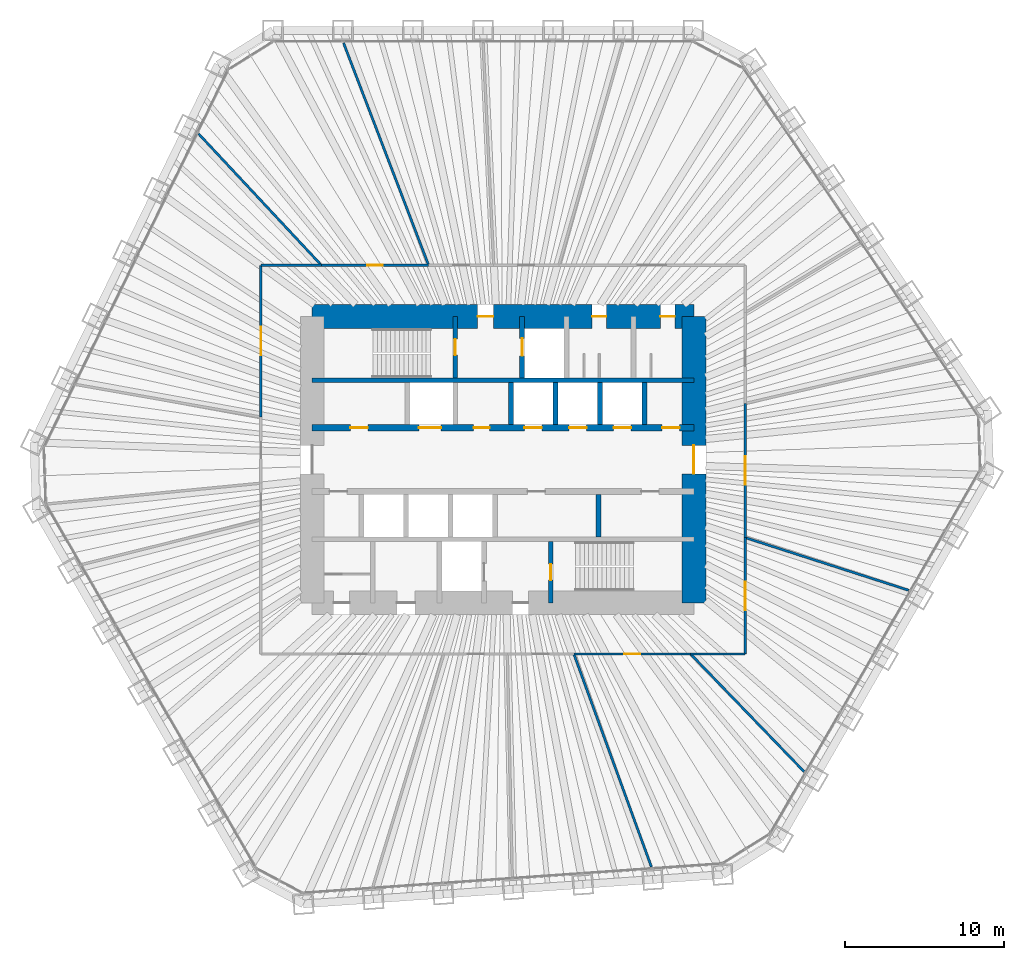
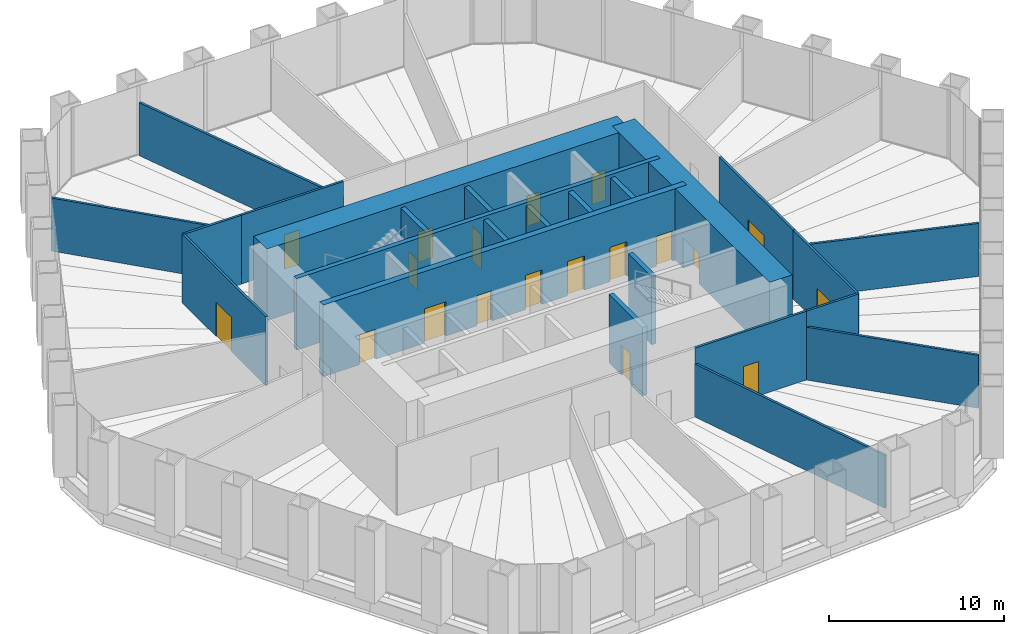
# One storey, part 11 of 13: 24 walls, 19 doors, 19 openings.
"""IFC4 building model written with IfcOpenShell, lengths in metres."""

import ifcopenshell
import ifcopenshell.guid

model = None  # the IFC model being written
_history = None  # IfcOwnerHistory: only IFC2X3 demands one
_inside = {}  # id of a spatial element -> (the spatial element, [elements in it])
_under = {}  # id of a project, library or spatial element -> (it, [spatial elements below it])
_declared = {}  # id of a project -> (the project, [libraries it declares])
_typed = {}  # id of a type object -> (the type object, [elements of that type])
_made_of = {}  # id of a material, layer set ... -> (it, [elements and type objects made of it])


def new_model(schema):
    """Start an empty IFC model of exactly this schema.

    Asked for "IFC4X3", IfcOpenShell would pick the latest addendum, in which some entities
    have other attributes; the version numbers below select the first issue.
    IFC2X3 requires an IfcOwnerHistory on every rooted entity: one is made here for all.
    """
    global model, _history
    if schema == "IFC4X3":
        model = ifcopenshell.file(schema_version=(4, 3, 0, 0))
    else:
        model = ifcopenshell.file(schema=schema)
    _inside.clear()
    _under.clear()
    _declared.clear()
    _typed.clear()
    _made_of.clear()
    _history = None
    if model.schema == "IFC2X3":
        org = make("IfcOrganization", Name="unknown")
        user = make(
            "IfcPersonAndOrganization",
            ThePerson=make("IfcPerson", FamilyName="unknown"),
            TheOrganization=org,
        )
        app = make(
            "IfcApplication",
            ApplicationDeveloper=org,
            Version="unknown",
            ApplicationFullName="unknown",
            ApplicationIdentifier="unknown",
        )
        _history = make(
            "IfcOwnerHistory",
            OwningUser=user,
            OwningApplication=app,
            ChangeAction="ADDED",
            CreationDate=0,
        )
    return model


def make(cls, **values):
    """One entity of the class cls with the attributes given. An attribute that is None is left unset."""
    return model.create_entity(
        cls, **{name: value for name, value in values.items() if value is not None}
    )


def rooted(cls, **values):
    """An entity with a GlobalId (a new one), such as an element, a storey or a relation."""
    return make(cls, GlobalId=ifcopenshell.guid.new(), OwnerHistory=_history, **values)


def si_unit(unit_type, name, prefix=None):
    """IfcSIUnit, for example si_unit("LENGTHUNIT", "METRE", prefix="MILLI")."""
    return make("IfcSIUnit", UnitType=unit_type, Prefix=prefix, Name=name)


def assignment(units):
    """IfcUnitAssignment: the units of a project."""
    return None if units is None else make("IfcUnitAssignment", Units=units)


def point(xyz):
    """IfcCartesianPoint."""
    return None if xyz is None else make("IfcCartesianPoint", Coordinates=xyz)


def direction(xyz):
    """IfcDirection."""
    return None if xyz is None else make("IfcDirection", DirectionRatios=xyz)


def frame(location, z_axis=None, x_axis=None):
    """IfcAxis2Placement3D, a coordinate frame: its origin and axes. An axis left out is left unset."""
    return make(
        "IfcAxis2Placement3D",
        Location=point(location),
        Axis=direction(z_axis),
        RefDirection=direction(x_axis),
    )


def frame_2d(location, x_axis=None):
    """IfcAxis2Placement2D, a coordinate frame in the plane: its origin and x axis."""
    return make(
        "IfcAxis2Placement2D", Location=point(location), RefDirection=direction(x_axis)
    )


def origin():
    """The frame at (0, 0, 0) with its axes left unset."""
    return frame((0.0, 0.0, 0.0))


def place(relative_to, where):
    """IfcLocalPlacement: puts the frame where relative to a parent placement (None: the world)."""
    return make(
        "IfcLocalPlacement", PlacementRelTo=relative_to, RelativePlacement=where
    )


def context(
    kind, dimensions, precision=None, world=None, true_north=None, identifier=None
):
    """IfcGeometricRepresentationContext, for example the 3D "Model" context."""
    return make(
        "IfcGeometricRepresentationContext",
        ContextIdentifier=identifier,
        ContextType=kind,
        CoordinateSpaceDimension=dimensions,
        Precision=precision,
        WorldCoordinateSystem=world,
        TrueNorth=true_north,
    )


def subcontext(parent, identifier, kind, view, scale=None):
    """IfcGeometricRepresentationSubContext, for example "Body" below "Model"."""
    return make(
        "IfcGeometricRepresentationSubContext",
        ContextIdentifier=identifier,
        ContextType=kind,
        ParentContext=parent,
        TargetScale=scale,
        TargetView=view,
    )


def project(units=None, contexts=None):
    """IfcProject with its units and contexts."""
    return rooted(
        "IfcProject",
        Name="project",
        RepresentationContexts=contexts,
        UnitsInContext=assignment(units),
    )


def spatial(cls, under=None, at=None, **own):
    """A site, building, storey or space (cls), placed at a placement, below another one or the project."""
    s = rooted(cls, ObjectPlacement=at, **own)
    if under is not None:
        _under.setdefault(under.id(), (under, []))[1].append(s)
    return s


def profile(cls, at=None, kind="AREA", **sizes):
    """A parametric profile (cls). Its sizes go by their IFC names, for example OverallWidth=200.0."""
    return make(cls, ProfileType=kind, Position=at, **sizes)


def rectangle(**sizes):
    """IfcRectangleProfileDef."""
    return profile("IfcRectangleProfileDef", **sizes)


def extrude(swept, where, along, depth):
    """IfcExtrudedAreaSolid: the profile swept, set in the frame where, extruded along a direction by depth."""
    return make(
        "IfcExtrudedAreaSolid",
        SweptArea=swept,
        Position=where,
        ExtrudedDirection=direction(along),
        Depth=depth,
    )


def shape(context_of_items, identifier, shape_type, items):
    """IfcShapeRepresentation: the items that make up one representation, for example the "Body"."""
    return make(
        "IfcShapeRepresentation",
        ContextOfItems=context_of_items,
        RepresentationIdentifier=identifier,
        RepresentationType=shape_type,
        Items=items,
    )


def material(Name=None, Category=None):
    """IfcMaterial."""
    return make("IfcMaterial", Name=Name, Category=Category)


def layer(
    of_material, thickness, ventilated=None, Name=None, Category=None, Priority=None
):
    """IfcMaterialLayer: one layer of a wall or slab, of a material (None: an air gap)."""
    return make(
        "IfcMaterialLayer",
        Material=of_material,
        LayerThickness=thickness,
        IsVentilated=ventilated,
        Name=Name,
        Category=Category,
        Priority=Priority,
    )


def layer_set(layers, Name=None):
    """IfcMaterialLayerSet."""
    return make("IfcMaterialLayerSet", MaterialLayers=layers, LayerSetName=Name)


def made_of(thing, what):
    """Note that an element or type object is made of a material, layer set ...; save() writes the relation."""
    if what is not None:
        _made_of.setdefault(what.id(), (what, []))[1].append(thing)
    return thing


def type_object(cls, material=None, **own):
    """A type object (cls), such as IfcWallType, which elements share."""
    return made_of(rooted(cls, **own), material)


def element(
    cls,
    number,
    at=None,
    inside=None,
    cuts=None,
    type_object=None,
    material=None,
    context=None,
    identifier="Body",
    shape_type=None,
    held_by="IfcProductDefinitionShape",
    body=None,
    shapes=None,
    **own,
):
    """One element of the class cls, such as IfcWall. Its Tag is "e" and its number.

    at: its placement. inside: the storey or other place that contains it. cuts: it is an
    opening in that element (IfcRelVoidsElement). A single representation is given by context,
    identifier, shape_type and body (its items); several are given by shapes. held_by: the class
    of the entity that holds the representations. save() writes the other relations.
    """
    e = rooted(cls, Tag="e%d" % number, ObjectPlacement=at, **own)
    if body is not None:
        shapes = [shape(context, identifier, shape_type, body)]
    if shapes is not None:
        e.Representation = make(held_by, Representations=shapes)
    if inside is not None:
        _inside.setdefault(inside.id(), (inside, []))[1].append(e)
    if cuts is not None:
        rooted(
            "IfcRelVoidsElement", RelatingBuildingElement=cuts, RelatedOpeningElement=e
        )
    if type_object is not None:
        _typed.setdefault(type_object.id(), (type_object, []))[1].append(e)
    return made_of(e, material)


def fill(opening, filler):
    """IfcRelFillsElement: the door or window that sits in an opening."""
    return rooted(
        "IfcRelFillsElement",
        RelatingOpeningElement=opening,
        RelatedBuildingElement=filler,
    )


def aggregate(whole, parts):
    """IfcRelAggregates: a whole, such as a stair, and the parts it consists of."""
    return rooted("IfcRelAggregates", RelatingObject=whole, RelatedObjects=parts)


def save(model, path):
    """Write the relations noted so far, then the file.

    IfcRelAggregates (storeys below a building ...), IfcRelContainedInSpatialStructure (elements
    in a storey), IfcRelDefinesByType, IfcRelAssociatesMaterial and IfcRelDeclares: one each for
    every whole, place, type object, material and project.
    """
    for whole, parts in _under.values():
        aggregate(whole, parts)
    for where, things in _inside.values():
        rooted(
            "IfcRelContainedInSpatialStructure",
            RelatedElements=things,
            RelatingStructure=where,
        )
    for kind, things in _typed.values():
        rooted("IfcRelDefinesByType", RelatedObjects=things, RelatingType=kind)
    for what, things in _made_of.values():
        rooted("IfcRelAssociatesMaterial", RelatedObjects=things, RelatingMaterial=what)
    for by, libraries in _declared.values():
        rooted("IfcRelDeclares", RelatingContext=by, RelatedDefinitions=libraries)
    model.write(path)


model = new_model("IFC4")

# Units and contexts
model_context = context("Model", 3, precision=1e-05, world=origin(), true_north=direction((0.0, 1.0)))
body_context = subcontext(model_context, "Body", "Model", "MODEL_VIEW")
ifc_project = project(units=[si_unit("LENGTHUNIT", "METRE"), si_unit("AREAUNIT", "SQUARE_METRE"), si_unit("VOLUMEUNIT", "CUBIC_METRE"), si_unit("PLANEANGLEUNIT", "RADIAN"), si_unit("MASSUNIT", "GRAM", prefix="KILO")], contexts=[model_context])

# Site, building, storey
site_placement = place(None, origin())
site = spatial("IfcSite", under=ifc_project, at=site_placement, CompositionType="ELEMENT")
building_placement = place(site_placement, origin())
building = spatial("IfcBuilding", under=site, at=building_placement, Name="Qingtian Harvest Tower", CompositionType="ELEMENT")
storey_placement = place(building_placement, frame((0.0, 0.0, 32.0)))
storey = spatial("IfcBuildingStorey", under=building, at=storey_placement, Name="L06", CompositionType="ELEMENT", Elevation=32.0)

# Wall
ifc_material_1 = material(Name="Concrete fc' 70 MPa", Category="concrete")
ifc_layer_1 = layer(ifc_material_1, 0.300048828125)
ifc_layer_set_1 = layer_set([ifc_layer_1], Name="Core inner wall RC5 300")
wall_type_1 = type_object("IfcWallType", Name="Core inner wall RC5 300", PredefinedType="SHEAR", material=ifc_layer_set_1)
wall_1_placement = place(storey_placement, frame((-12.0, 5.0, 0.0), z_axis=(0.0, 0.0, 1.0), x_axis=(1.0, 0.0, 0.0)))
element("IfcWall", 1, at=wall_1_placement, inside=storey, type_object=wall_type_1, Name="Core wall IN5 L06", PredefinedType="SHEAR", context=body_context, shape_type="SweptSolid", body=[
    extrude(rectangle(XDim=24.0, YDim=0.300048828125, at=frame_2d((12.0, 0.0))), origin(), (0.0, 0.0, 1.0), 5.0),
])

# Wall, openings, doors
ifc_material_2 = material(Name="Concrete fc' 70 MPa", Category="concrete")
ifc_layer_2 = layer(ifc_material_2, 0.39990234375)
ifc_layer_set_2 = layer_set([ifc_layer_2], Name="Core inner web RC6 400")
wall_type_2 = type_object("IfcWallType", Name="Core inner web RC6 400", PredefinedType="SHEAR", material=ifc_layer_set_2)
wall_2_placement = place(storey_placement, frame((-12.0, 2.0, 0.0), z_axis=(0.0, 0.0, 1.0), x_axis=(1.0, 0.0, 0.0)))
wall_2 = element("IfcWall", 2, at=wall_2_placement, inside=storey, type_object=wall_type_2, Name="Core wall IN2 L06", PredefinedType="SHEAR", context=body_context, shape_type="SweptSolid", body=[
    extrude(rectangle(XDim=24.0, YDim=0.39990234375, at=frame_2d((12.0, 0.0))), origin(), (0.0, 0.0, 1.0), 5.0),
])
opening_1_placement = place(wall_2_placement, frame((2.39990234375, 0.0, 0.0)))
opening_1 = element("IfcOpeningElement", 3, at=opening_1_placement, cuts=wall_2, Name="Opening FD4", PredefinedType="OPENING", context=body_context, shape_type="SweptSolid", body=[
    extrude(rectangle(XDim=1.10009765625, YDim=2.10009765625, at=frame_2d((0.550048828125, 1.050048828125))), frame((0.0, 0.2099609375, 0.0), z_axis=(0.0, -1.0, 0.0), x_axis=(1.0, 0.0, 0.0)), (0.0, 0.0, 1.0), 0.419921875),
])
opening_2_placement = place(wall_2_placement, frame((22.0, 0.0, 0.0)))
opening_2 = element("IfcOpeningElement", 4, at=opening_2_placement, cuts=wall_2, Name="Opening FD4", PredefinedType="OPENING", context=body_context, shape_type="SweptSolid", body=[
    extrude(rectangle(XDim=1.10009765625, YDim=2.10009765625, at=frame_2d((0.550048828125, 1.050048828125))), frame((0.0, 0.2099609375, 0.0), z_axis=(0.0, -1.0, 0.0), x_axis=(1.0, 0.0, 0.0)), (0.0, 0.0, 1.0), 0.419921875),
])
opening_3_placement = place(wall_2_placement, frame((10.14990234375, 0.0, 0.0)))
opening_3 = element("IfcOpeningElement", 5, at=opening_3_placement, cuts=wall_2, Name="Opening FD1", PredefinedType="OPENING", context=body_context, shape_type="SweptSolid", body=[
    extrude(rectangle(XDim=1.0, YDim=2.10009765625, at=frame_2d((0.5, 1.050048828125))), frame((0.0, 0.2099609375, 0.0), z_axis=(0.0, -1.0, 0.0), x_axis=(1.0, 0.0, 0.0)), (0.0, 0.0, 1.0), 0.419921875),
])
opening_4_placement = place(wall_2_placement, frame((6.699951171875, 0.0, 0.0)))
opening_4 = element("IfcOpeningElement", 6, at=opening_4_placement, cuts=wall_2, Name="Opening LD2", PredefinedType="OPENING", context=body_context, shape_type="SweptSolid", body=[
    extrude(rectangle(XDim=1.39990234375, YDim=2.39990234375, at=frame_2d((0.699951171875, 1.199951171875))), frame((0.0, 0.2099609375, 0.0), z_axis=(0.0, -1.0, 0.0), x_axis=(1.0, 0.0, 0.0)), (0.0, 0.0, 1.0), 0.419921875),
])
opening_5_placement = place(wall_2_placement, frame((13.35009765625, 0.0, 0.0)))
opening_5 = element("IfcOpeningElement", 7, at=opening_5_placement, cuts=wall_2, Name="Opening LD1", PredefinedType="OPENING", context=body_context, shape_type="SweptSolid", body=[
    extrude(rectangle(XDim=1.10009765625, YDim=2.39990234375, at=frame_2d((0.550048828125, 1.199951171875))), frame((0.0, 0.2099609375, 0.0), z_axis=(0.0, -1.0, 0.0), x_axis=(1.0, 0.0, 0.0)), (0.0, 0.0, 1.0), 0.419921875),
])
opening_6_placement = place(wall_2_placement, frame((16.14990234375, 0.0, 0.0)))
opening_6 = element("IfcOpeningElement", 8, at=opening_6_placement, cuts=wall_2, Name="Opening LD1", PredefinedType="OPENING", context=body_context, shape_type="SweptSolid", body=[
    extrude(rectangle(XDim=1.10009765625, YDim=2.39990234375, at=frame_2d((0.550048828125, 1.199951171875))), frame((0.0, 0.2099609375, 0.0), z_axis=(0.0, -1.0, 0.0), x_axis=(1.0, 0.0, 0.0)), (0.0, 0.0, 1.0), 0.419921875),
])
opening_7_placement = place(wall_2_placement, frame((18.949951171875, 0.0, 0.0)))
opening_7 = element("IfcOpeningElement", 9, at=opening_7_placement, cuts=wall_2, Name="Opening LD1", PredefinedType="OPENING", context=body_context, shape_type="SweptSolid", body=[
    extrude(rectangle(XDim=1.10009765625, YDim=2.39990234375, at=frame_2d((0.550048828125, 1.199951171875))), frame((0.0, 0.2099609375, 0.0), z_axis=(0.0, -1.0, 0.0), x_axis=(1.0, 0.0, 0.0)), (0.0, 0.0, 1.0), 0.419921875),
])
ifc_material_3 = material(Name="Steel-faced door leaf", Category="steel")
door_type_1 = type_object("IfcDoorType", Name="Fire door FD1 single 1 HR", OperationType="SINGLE_SWING_LEFT", PredefinedType="DOOR", material=ifc_material_3)
door_1_placement = place(opening_3_placement, origin())
door_1 = element("IfcDoor", 10, at=door_1_placement, inside=storey, type_object=door_type_1, Name="STA door L06", OperationType="SINGLE_SWING_LEFT", OverallHeight=2.10009765625, OverallWidth=1.0, PredefinedType="DOOR", context=body_context, shape_type="SweptSolid", body=[
    extrude(rectangle(XDim=1.0, YDim=2.10009765625, at=frame_2d((0.5, 1.050048828125))), frame((0.0, 0.02490234375, 0.0), z_axis=(0.0, -1.0, 0.0), x_axis=(1.0, 0.0, 0.0)), (0.0, 0.0, 1.0), 0.050048828125),
])
fill(opening_3, door_1)
ifc_material_4 = material(Name="Steel-faced door leaf", Category="steel")
door_type_2 = type_object("IfcDoorType", Name="Fire door FD4 single 2 HR", OperationType="SINGLE_SWING_LEFT", PredefinedType="DOOR", material=ifc_material_4)
door_2_placement = place(opening_1_placement, origin())
door_2 = element("IfcDoor", 11, at=door_2_placement, inside=storey, type_object=door_type_2, Name="RA door L06", OperationType="SINGLE_SWING_RIGHT", OverallHeight=2.10009765625, OverallWidth=1.10009765625, PredefinedType="DOOR", context=body_context, shape_type="SweptSolid", body=[
    extrude(rectangle(XDim=1.10009765625, YDim=2.10009765625, at=frame_2d((0.550048828125, 1.050048828125))), frame((0.0, 0.02490234375, 0.0), z_axis=(0.0, -1.0, 0.0), x_axis=(1.0, 0.0, 0.0)), (0.0, 0.0, 1.0), 0.050048828125),
])
fill(opening_1, door_2)
door_3_placement = place(opening_2_placement, origin())
door_3 = element("IfcDoor", 12, at=door_3_placement, inside=storey, type_object=door_type_2, Name="AHU door L06", OperationType="SINGLE_SWING_RIGHT", OverallHeight=2.10009765625, OverallWidth=1.10009765625, PredefinedType="DOOR", context=body_context, shape_type="SweptSolid", body=[
    extrude(rectangle(XDim=1.10009765625, YDim=2.10009765625, at=frame_2d((0.550048828125, 1.050048828125))), frame((0.0, 0.02490234375, 0.0), z_axis=(0.0, -1.0, 0.0), x_axis=(1.0, 0.0, 0.0)), (0.0, 0.0, 1.0), 0.050048828125),
])
fill(opening_2, door_3)
ifc_material_5 = material(Name="Stainless steel lift landing door", Category="steel")
door_type_3 = type_object("IfcDoorType", Name="Goods lift landing door LD2 1 HR", OperationType="DOUBLE_DOOR_SLIDING", PredefinedType="DOOR", material=ifc_material_5)
door_4_placement = place(opening_4_placement, origin())
door_4 = element("IfcDoor", 13, at=door_4_placement, inside=storey, type_object=door_type_3, Name="GL1 landing door L06", OperationType="DOUBLE_DOOR_SLIDING", OverallHeight=2.39990234375, OverallWidth=1.39990234375, PredefinedType="DOOR", context=body_context, shape_type="SweptSolid", body=[
    extrude(rectangle(XDim=1.39990234375, YDim=2.39990234375, at=frame_2d((0.699951171875, 1.199951171875))), frame((0.0, 0.02490234375, 0.0), z_axis=(0.0, -1.0, 0.0), x_axis=(1.0, 0.0, 0.0)), (0.0, 0.0, 1.0), 0.050048828125),
])
fill(opening_4, door_4)
ifc_material_6 = material(Name="Stainless steel lift landing door", Category="steel")
door_type_4 = type_object("IfcDoorType", Name="Lift landing door LD1 1 HR", OperationType="DOUBLE_DOOR_SLIDING", PredefinedType="DOOR", material=ifc_material_6)
door_5_placement = place(opening_5_placement, origin())
door_5 = element("IfcDoor", 14, at=door_5_placement, inside=storey, type_object=door_type_4, Name="PLA1 landing door L06", OperationType="DOUBLE_DOOR_SLIDING", OverallHeight=2.39990234375, OverallWidth=1.10009765625, PredefinedType="DOOR", context=body_context, shape_type="SweptSolid", body=[
    extrude(rectangle(XDim=1.10009765625, YDim=2.39990234375, at=frame_2d((0.550048828125, 1.199951171875))), frame((0.0, 0.02490234375, 0.0), z_axis=(0.0, -1.0, 0.0), x_axis=(1.0, 0.0, 0.0)), (0.0, 0.0, 1.0), 0.050048828125),
])
fill(opening_5, door_5)
door_6_placement = place(opening_6_placement, origin())
door_6 = element("IfcDoor", 15, at=door_6_placement, inside=storey, type_object=door_type_4, Name="PLA2 landing door L06", OperationType="DOUBLE_DOOR_SLIDING", OverallHeight=2.39990234375, OverallWidth=1.10009765625, PredefinedType="DOOR", context=body_context, shape_type="SweptSolid", body=[
    extrude(rectangle(XDim=1.10009765625, YDim=2.39990234375, at=frame_2d((0.550048828125, 1.199951171875))), frame((0.0, 0.02490234375, 0.0), z_axis=(0.0, -1.0, 0.0), x_axis=(1.0, 0.0, 0.0)), (0.0, 0.0, 1.0), 0.050048828125),
])
fill(opening_6, door_6)
door_7_placement = place(opening_7_placement, origin())
door_7 = element("IfcDoor", 16, at=door_7_placement, inside=storey, type_object=door_type_4, Name="PLA3 landing door L06", OperationType="DOUBLE_DOOR_SLIDING", OverallHeight=2.39990234375, OverallWidth=1.10009765625, PredefinedType="DOOR", context=body_context, shape_type="SweptSolid", body=[
    extrude(rectangle(XDim=1.10009765625, YDim=2.39990234375, at=frame_2d((0.550048828125, 1.199951171875))), frame((0.0, 0.02490234375, 0.0), z_axis=(0.0, -1.0, 0.0), x_axis=(1.0, 0.0, 0.0)), (0.0, 0.0, 1.0), 0.050048828125),
])
fill(opening_7, door_7)

# Wall, opening, door
ifc_material_7 = material(Name="Precast concrete shaft panel", Category="concrete")
ifc_layer_3 = layer(ifc_material_7, 0.300048828125)
ifc_layer_set_3 = layer_set([ifc_layer_3], Name="Core shaft partition SW1 300")
wall_type_3 = type_object("IfcWallType", Name="Core shaft partition SW1 300", PredefinedType="PARTITIONING", material=ifc_layer_set_3)
wall_3_placement = place(storey_placement, frame((-3.0, 5.14990234375, 0.0), z_axis=(0.0, 0.0, 1.0), x_axis=(0.0, 1.0, 0.0)))
wall_3 = element("IfcWall", 17, at=wall_3_placement, inside=storey, type_object=wall_type_3, Name="Core shaft partition XN1 L06", PredefinedType="PARTITIONING", context=body_context, shape_type="SweptSolid", body=[
    extrude(rectangle(XDim=3.85009765625, YDim=0.300048828125, at=frame_2d((1.925048828125, 0.0))), origin(), (0.0, 0.0, 1.0), 4.780029296875),
])
opening_8_placement = place(wall_3_placement, frame((1.425048828125, 0.0, 0.0)))
opening_8 = element("IfcOpeningElement", 18, at=opening_8_placement, cuts=wall_3, Name="Opening FD1", PredefinedType="OPENING", context=body_context, shape_type="SweptSolid", body=[
    extrude(rectangle(XDim=1.0, YDim=2.10009765625, at=frame_2d((0.5, 1.050048828125))), frame((0.0, 0.159912109375, 0.0), z_axis=(0.0, -1.0, 0.0), x_axis=(1.0, 0.0, 0.0)), (0.0, 0.0, 1.0), 0.320068359375),
])
door_8_placement = place(opening_8_placement, origin())
door_8 = element("IfcDoor", 19, at=door_8_placement, inside=storey, type_object=door_type_1, Name="S1 door L06", OperationType="SINGLE_SWING_RIGHT", OverallHeight=2.10009765625, OverallWidth=1.0, PredefinedType="DOOR", context=body_context, shape_type="SweptSolid", body=[
    extrude(rectangle(XDim=1.0, YDim=2.10009765625, at=frame_2d((0.5, 1.050048828125))), frame((0.0, 0.02490234375, 0.0), z_axis=(0.0, -1.0, 0.0), x_axis=(1.0, 0.0, 0.0)), (0.0, 0.0, 1.0), 0.050048828125),
])
fill(opening_8, door_8)

wall_4_placement = place(storey_placement, frame((1.199951171875, 5.14990234375, 0.0), z_axis=(0.0, 0.0, 1.0), x_axis=(0.0, 1.0, 0.0)))
wall_4 = element("IfcWall", 20, at=wall_4_placement, inside=storey, type_object=wall_type_3, Name="Core shaft partition XN2 L06", PredefinedType="PARTITIONING", context=body_context, shape_type="SweptSolid", body=[
    extrude(rectangle(XDim=3.85009765625, YDim=0.300048828125, at=frame_2d((1.925048828125, 0.0))), origin(), (0.0, 0.0, 1.0), 4.780029296875),
])
opening_9_placement = place(wall_4_placement, frame((1.375, 0.0, 0.0)))
opening_9 = element("IfcOpeningElement", 21, at=opening_9_placement, cuts=wall_4, Name="Opening LD1", PredefinedType="OPENING", context=body_context, shape_type="SweptSolid", body=[
    extrude(rectangle(XDim=1.10009765625, YDim=2.39990234375, at=frame_2d((0.550048828125, 1.199951171875))), frame((0.0, 0.159912109375, 0.0), z_axis=(0.0, -1.0, 0.0), x_axis=(1.0, 0.0, 0.0)), (0.0, 0.0, 1.0), 0.320068359375),
])
door_9_placement = place(opening_9_placement, origin())
door_9 = element("IfcDoor", 22, at=door_9_placement, inside=storey, type_object=door_type_4, Name="FL1 landing door L06", OperationType="DOUBLE_DOOR_SLIDING", OverallHeight=2.39990234375, OverallWidth=1.10009765625, PredefinedType="DOOR", context=body_context, shape_type="SweptSolid", body=[
    extrude(rectangle(XDim=1.10009765625, YDim=2.39990234375, at=frame_2d((0.550048828125, 1.199951171875))), frame((0.0, 0.02490234375, 0.0), z_axis=(0.0, -1.0, 0.0), x_axis=(1.0, 0.0, 0.0)), (0.0, 0.0, 1.0), 0.050048828125),
])
fill(opening_9, door_9)

# Walls
for number, where, z_axis, x_axis, name in (
    (23, (0.5, 2.199951171875, 0.0), (0.0, 0.0, 1.0), (0.0, 1.0, 0.0), "Core shaft partition XA3 L06"),
    (24, (3.300048828125, 2.199951171875, 0.0), (0.0, 0.0, 1.0), (0.0, 1.0, 0.0), "Core shaft partition XA4 L06"),
    (25, (6.10009765625, 2.199951171875, 0.0), (0.0, 0.0, 1.0), (0.0, 1.0, 0.0), "Core shaft partition XA5 L06"),
    (26, (8.89990234375, 2.199951171875, 0.0), (0.0, 0.0, 1.0), (0.0, 1.0, 0.0), "Core shaft partition XA6 L06"),
    (27, (6.0, -4.85009765625, 0.0), (0.0, 0.0, 1.0), (0.0, 1.0, 0.0), "Core shaft partition XB5 L06"),
):
    element("IfcWall", number, at=place(storey_placement, frame(where, z_axis=z_axis, x_axis=x_axis)), inside=storey, type_object=wall_type_3, Name=name, PredefinedType="PARTITIONING", context=body_context, shape_type="SweptSolid", body=[
        extrude(rectangle(XDim=2.650146484375, YDim=0.300048828125, at=frame_2d((1.3251953125, 0.0))), origin(), (0.0, 0.0, 1.0), 4.780029296875),
    ])

# Wall, opening, door
wall_5_placement = place(storey_placement, frame((3.0, -9.0, 0.0), z_axis=(0.0, 0.0, 1.0), x_axis=(0.0, 1.0, 0.0)))
wall_5 = element("IfcWall", 28, at=wall_5_placement, inside=storey, type_object=wall_type_3, Name="Core shaft partition XS4 L06", PredefinedType="PARTITIONING", context=body_context, shape_type="SweptSolid", body=[
    extrude(rectangle(XDim=3.85009765625, YDim=0.300048828125, at=frame_2d((1.925048828125, 0.0))), origin(), (0.0, 0.0, 1.0), 4.780029296875),
])
opening_10_placement = place(wall_5_placement, frame((1.425048828125, 0.0, 0.0)))
opening_10 = element("IfcOpeningElement", 29, at=opening_10_placement, cuts=wall_5, Name="Opening FD1", PredefinedType="OPENING", context=body_context, shape_type="SweptSolid", body=[
    extrude(rectangle(XDim=1.0, YDim=2.10009765625, at=frame_2d((0.5, 1.050048828125))), frame((0.0, 0.159912109375, 0.0), z_axis=(0.0, -1.0, 0.0), x_axis=(1.0, 0.0, 0.0)), (0.0, 0.0, 1.0), 0.320068359375),
])
door_10_placement = place(opening_10_placement, origin())
door_10 = element("IfcDoor", 30, at=door_10_placement, inside=storey, type_object=door_type_1, Name="S2 door L06", OperationType="SINGLE_SWING_LEFT", OverallHeight=2.10009765625, OverallWidth=1.0, PredefinedType="DOOR", context=body_context, shape_type="SweptSolid", body=[
    extrude(rectangle(XDim=1.0, YDim=2.10009765625, at=frame_2d((0.5, 1.050048828125))), frame((0.0, 0.02490234375, 0.0), z_axis=(0.0, -1.0, 0.0), x_axis=(1.0, 0.0, 0.0)), (0.0, 0.0, 1.0), 0.050048828125),
])
fill(opening_10, door_10)

# Wall, openings, doors
ifc_material_8 = material(Name="Concrete fc' 70 MPa", Category="concrete")
ifc_layer_4 = layer(ifc_material_8, 1.5)
ifc_layer_set_4 = layer_set([ifc_layer_4], Name="Core wall RC1 1500")
wall_type_4 = type_object("IfcWallType", Name="Core wall RC1 1500", PredefinedType="SHEAR", material=ifc_layer_set_4)
wall_6_placement = place(storey_placement, frame((-12.0, 9.0, 0.0), z_axis=(0.0, 0.0, 1.0), x_axis=(1.0, 0.0, 0.0)))
wall_6 = element("IfcWall", 31, at=wall_6_placement, inside=storey, type_object=wall_type_4, Name="Core wall CN L06", PredefinedType="SHEAR", context=body_context, shape_type="SweptSolid", body=[
    extrude(rectangle(XDim=24.0, YDim=1.5, at=frame_2d((12.0, 0.0))), origin(), (0.0, 0.0, 1.0), 5.0),
])
opening_11_placement = place(wall_6_placement, frame((10.39990234375, 0.0, 0.0)))
opening_11 = element("IfcOpeningElement", 32, at=opening_11_placement, cuts=wall_6, Name="Opening FD1", PredefinedType="OPENING", context=body_context, shape_type="SweptSolid", body=[
    extrude(rectangle(XDim=1.0, YDim=2.10009765625, at=frame_2d((0.5, 1.050048828125))), frame((0.0, 0.760009765625, 0.0), z_axis=(0.0, -1.0, 0.0), x_axis=(1.0, 0.0, 0.0)), (0.0, 0.0, 1.0), 1.52001953125),
])
opening_12_placement = place(wall_6_placement, frame((17.60009765625, 0.0, 0.0)))
opening_12 = element("IfcOpeningElement", 33, at=opening_12_placement, cuts=wall_6, Name="Opening D1", PredefinedType="OPENING", context=body_context, shape_type="SweptSolid", body=[
    extrude(rectangle(XDim=0.89990234375, YDim=2.10009765625, at=frame_2d((0.449951171875, 1.050048828125))), frame((0.0, 0.760009765625, 0.0), z_axis=(0.0, -1.0, 0.0), x_axis=(1.0, 0.0, 0.0)), (0.0, 0.0, 1.0), 1.52001953125),
])
opening_13_placement = place(wall_6_placement, frame((21.89990234375, 0.0, 0.0)))
opening_13 = element("IfcOpeningElement", 34, at=opening_13_placement, cuts=wall_6, Name="Opening D1", PredefinedType="OPENING", context=body_context, shape_type="SweptSolid", body=[
    extrude(rectangle(XDim=0.89990234375, YDim=2.10009765625, at=frame_2d((0.449951171875, 1.050048828125))), frame((0.0, 0.760009765625, 0.0), z_axis=(0.0, -1.0, 0.0), x_axis=(1.0, 0.0, 0.0)), (0.0, 0.0, 1.0), 1.52001953125),
])
door_11_placement = place(opening_11_placement, origin())
door_11 = element("IfcDoor", 35, at=door_11_placement, inside=storey, type_object=door_type_1, Name="V1 door L06", OperationType="SINGLE_SWING_RIGHT", OverallHeight=2.10009765625, OverallWidth=1.0, PredefinedType="DOOR", context=body_context, shape_type="SweptSolid", body=[
    extrude(rectangle(XDim=1.0, YDim=2.10009765625, at=frame_2d((0.5, 1.050048828125))), frame((0.0, 0.02490234375, 0.0), z_axis=(0.0, -1.0, 0.0), x_axis=(1.0, 0.0, 0.0)), (0.0, 0.0, 1.0), 0.050048828125),
])
fill(opening_11, door_11)
ifc_material_9 = material(Name="Laminated timber door leaf", Category="wood")
door_type_5 = type_object("IfcDoorType", Name="Toilet door D1 single", OperationType="SINGLE_SWING_LEFT", PredefinedType="DOOR", material=ifc_material_9)
door_12_placement = place(opening_12_placement, origin())
door_12 = element("IfcDoor", 36, at=door_12_placement, inside=storey, type_object=door_type_5, Name="WCM door L06", OperationType="SINGLE_SWING_LEFT", OverallHeight=2.10009765625, OverallWidth=0.89990234375, PredefinedType="DOOR", context=body_context, shape_type="SweptSolid", body=[
    extrude(rectangle(XDim=0.89990234375, YDim=2.10009765625, at=frame_2d((0.449951171875, 1.050048828125))), frame((0.0, 0.02490234375, 0.0), z_axis=(0.0, -1.0, 0.0), x_axis=(1.0, 0.0, 0.0)), (0.0, 0.0, 1.0), 0.050048828125),
])
fill(opening_12, door_12)
door_13_placement = place(opening_13_placement, origin())
door_13 = element("IfcDoor", 37, at=door_13_placement, inside=storey, type_object=door_type_5, Name="WCF door L06", OperationType="SINGLE_SWING_LEFT", OverallHeight=2.10009765625, OverallWidth=0.89990234375, PredefinedType="DOOR", context=body_context, shape_type="SweptSolid", body=[
    extrude(rectangle(XDim=0.89990234375, YDim=2.10009765625, at=frame_2d((0.449951171875, 1.050048828125))), frame((0.0, 0.02490234375, 0.0), z_axis=(0.0, -1.0, 0.0), x_axis=(1.0, 0.0, 0.0)), (0.0, 0.0, 1.0), 0.050048828125),
])
fill(opening_13, door_13)

# Wall, opening, door
wall_7_placement = place(storey_placement, frame((12.0, -9.0, 0.0), z_axis=(0.0, 0.0, 1.0), x_axis=(0.0, 1.0, 0.0)))
wall_7 = element("IfcWall", 38, at=wall_7_placement, inside=storey, type_object=wall_type_4, Name="Core wall CE L06", PredefinedType="SHEAR", context=body_context, shape_type="SweptSolid", body=[
    extrude(rectangle(XDim=18.0, YDim=1.5, at=frame_2d((9.0, 0.0))), origin(), (0.0, 0.0, 1.0), 5.0),
])
opening_14_placement = place(wall_7_placement, frame((8.10009765625, 0.0, 0.0)))
opening_14 = element("IfcOpeningElement", 39, at=opening_14_placement, cuts=wall_7, Name="Opening FD2", PredefinedType="OPENING", context=body_context, shape_type="SweptSolid", body=[
    extrude(rectangle(XDim=1.800048828125, YDim=2.10009765625, at=frame_2d((0.89990234375, 1.050048828125))), frame((0.0, 0.760009765625, 0.0), z_axis=(0.0, -1.0, 0.0), x_axis=(1.0, 0.0, 0.0)), (0.0, 0.0, 1.0), 1.52001953125),
])
ifc_material_10 = material(Name="Steel-faced door leaf", Category="steel")
door_type_6 = type_object("IfcDoorType", Name="Fire door FD2 double 1 HR", OperationType="DOUBLE_DOOR_DOUBLE_SWING", PredefinedType="DOOR", material=ifc_material_10)
door_14_placement = place(opening_14_placement, origin())
door_14 = element("IfcDoor", 40, at=door_14_placement, inside=storey, type_object=door_type_6, Name="LOBBY-E door L06", OperationType="DOUBLE_DOOR_DOUBLE_SWING", OverallHeight=2.10009765625, OverallWidth=1.800048828125, PredefinedType="DOOR", context=body_context, shape_type="SweptSolid", body=[
    extrude(rectangle(XDim=1.800048828125, YDim=2.10009765625, at=frame_2d((0.89990234375, 1.050048828125))), frame((0.0, 0.02490234375, 0.0), z_axis=(0.0, -1.0, 0.0), x_axis=(1.0, 0.0, 0.0)), (0.0, 0.0, 1.0), 0.050048828125),
])
fill(opening_14, door_14)

ifc_material_11 = material(Name="Gypsum board on steel studs", Category="steel")
ifc_layer_5 = layer(ifc_material_11, 0.14990234375)
ifc_layer_set_5 = layer_set([ifc_layer_5], Name="Partition PT1 150")
wall_type_5 = type_object("IfcWallType", Name="Partition PT1 150", PredefinedType="PARTITIONING", material=ifc_layer_set_5)
wall_8_placement = place(storey_placement, frame((15.22509765625, 3.5302734375, 0.0), z_axis=(0.0, 0.0, 1.0), x_axis=(0.0, -1.0, 0.0)))
wall_8 = element("IfcWall", 41, at=wall_8_placement, inside=storey, type_object=wall_type_5, Name="Germination room wall L06", PredefinedType="PARTITIONING", context=body_context, shape_type="SweptSolid", body=[
    extrude(rectangle(XDim=8.43310546875, YDim=0.14990234375, at=frame_2d((4.216552734375, 0.0))), origin(), (0.0, 0.0, 1.0), 4.800048828125),
])
opening_15_placement = place(wall_8_placement, frame((3.316650390625, 0.0, 0.0)))
opening_15 = element("IfcOpeningElement", 42, at=opening_15_placement, cuts=wall_8, Name="Opening D3", PredefinedType="OPENING", context=body_context, shape_type="SweptSolid", body=[
    extrude(rectangle(XDim=1.800048828125, YDim=2.39990234375, at=frame_2d((0.89990234375, 1.199951171875))), frame((0.0, 0.0849609375, 0.0), z_axis=(0.0, -1.0, 0.0), x_axis=(1.0, 0.0, 0.0)), (0.0, 0.0, 1.0), 0.169921875),
])
ifc_material_12 = material(Name="Laminated timber door leaf", Category="wood")
door_type_7 = type_object("IfcDoorType", Name="Room door D3 double", OperationType="DOUBLE_DOOR_DOUBLE_SWING", PredefinedType="DOOR", material=ifc_material_12)
door_15_placement = place(opening_15_placement, origin())
door_15 = element("IfcDoor", 43, at=door_15_placement, inside=storey, type_object=door_type_7, Name="Germination room door L06", OperationType="DOUBLE_DOOR_DOUBLE_SWING", OverallHeight=2.39990234375, OverallWidth=1.800048828125, PredefinedType="DOOR", context=body_context, shape_type="SweptSolid", body=[
    extrude(rectangle(XDim=1.800048828125, YDim=2.39990234375, at=frame_2d((0.89990234375, 1.199951171875))), frame((0.0, 0.02490234375, 0.0), z_axis=(0.0, -1.0, 0.0), x_axis=(1.0, 0.0, 0.0)), (0.0, 0.0, 1.0), 0.050048828125),
])
fill(opening_15, door_15)

# Wall
wall_9_placement = place(storey_placement, frame((25.512451171875, -8.215576171875, 0.0), z_axis=(0.0, 0.0, 1.0), x_axis=(-0.95186413264, 0.306520265225, 0.0)))
element("IfcWall", 44, at=wall_9_placement, inside=storey, type_object=wall_type_5, Name="Seedling nursery wall L06", PredefinedType="PARTITIONING", context=body_context, shape_type="SweptSolid", body=[
    extrude(rectangle(XDim=10.8076171875, YDim=0.14990234375, at=frame_2d((5.40380859375, 0.0))), origin(), (0.0, 0.0, 1.0), 3.699951171875),
])

# Wall, opening, door
wall_10_placement = place(storey_placement, frame((15.22509765625, -4.90283203125, 0.0), z_axis=(0.0, 0.0, 1.0), x_axis=(0.0, -1.0, 0.0)))
wall_10 = element("IfcWall", 45, at=wall_10_placement, inside=storey, type_object=wall_type_5, Name="Seedling nursery wall L06", PredefinedType="PARTITIONING", context=body_context, shape_type="SweptSolid", body=[
    extrude(rectangle(XDim=7.322265625, YDim=0.14990234375, at=frame_2d((3.6611328125, 0.0))), origin(), (0.0, 0.0, 1.0), 4.800048828125),
])
opening_16_placement = place(wall_10_placement, frame((2.760986328125, 0.0, 0.0)))
opening_16 = element("IfcOpeningElement", 46, at=opening_16_placement, cuts=wall_10, Name="Opening D3", PredefinedType="OPENING", context=body_context, shape_type="SweptSolid", body=[
    extrude(rectangle(XDim=1.800048828125, YDim=2.39990234375, at=frame_2d((0.89990234375, 1.199951171875))), frame((0.0, 0.0849609375, 0.0), z_axis=(0.0, -1.0, 0.0), x_axis=(1.0, 0.0, 0.0)), (0.0, 0.0, 1.0), 0.169921875),
])
door_16_placement = place(opening_16_placement, origin())
door_16 = element("IfcDoor", 47, at=door_16_placement, inside=storey, type_object=door_type_7, Name="Seedling nursery door L06", OperationType="DOUBLE_DOOR_DOUBLE_SWING", OverallHeight=2.39990234375, OverallWidth=1.800048828125, PredefinedType="DOOR", context=body_context, shape_type="SweptSolid", body=[
    extrude(rectangle(XDim=1.800048828125, YDim=2.39990234375, at=frame_2d((0.89990234375, 1.199951171875))), frame((0.0, 0.02490234375, 0.0), z_axis=(0.0, -1.0, 0.0), x_axis=(1.0, 0.0, 0.0)), (0.0, 0.0, 1.0), 0.050048828125),
])
fill(opening_16, door_16)

# Walls
wall_11_placement = place(storey_placement, frame((15.22509765625, -12.22509765625, 0.0), z_axis=(0.0, 0.0, 1.0), x_axis=(-1.0, 0.0, 0.0)))
element("IfcWall", 48, at=wall_11_placement, inside=storey, type_object=wall_type_5, Name="Seedling nursery wall L06", PredefinedType="PARTITIONING", context=body_context, shape_type="SweptSolid", body=[
    extrude(rectangle(XDim=3.427978515625, YDim=0.14990234375, at=frame_2d((1.7138671875, 0.0))), origin(), (0.0, 0.0, 1.0), 4.800048828125),
])
wall_12_placement = place(storey_placement, frame((18.93115234375, -19.617919921875, 0.0), z_axis=(0.0, 0.0, 1.0), x_axis=(-0.694399830455, 0.719589379761, 0.0)))
element("IfcWall", 49, at=wall_12_placement, inside=storey, type_object=wall_type_5, Name="Propagation room wall L06", PredefinedType="PARTITIONING", context=body_context, shape_type="SweptSolid", body=[
    extrude(rectangle(XDim=10.273681640625, YDim=0.14990234375, at=frame_2d((5.13671875, 0.0))), origin(), (0.0, 0.0, 1.0), 3.699951171875),
])

# Wall, opening, door
wall_13_placement = place(storey_placement, frame((11.797119140625, -12.22509765625, 0.0), z_axis=(0.0, 0.0, 1.0), x_axis=(-1.0, 0.0, 0.0)))
wall_13 = element("IfcWall", 50, at=wall_13_placement, inside=storey, type_object=wall_type_5, Name="Propagation room wall L06", PredefinedType="PARTITIONING", context=body_context, shape_type="SweptSolid", body=[
    extrude(rectangle(XDim=7.342529296875, YDim=0.14990234375, at=frame_2d((3.67138671875, 0.0))), origin(), (0.0, 0.0, 1.0), 4.800048828125),
])
opening_17_placement = place(wall_13_placement, frame((3.17138671875, 0.0, 0.0)))
opening_17 = element("IfcOpeningElement", 51, at=opening_17_placement, cuts=wall_13, Name="Opening D2", PredefinedType="OPENING", context=body_context, shape_type="SweptSolid", body=[
    extrude(rectangle(XDim=1.0, YDim=2.39990234375, at=frame_2d((0.5, 1.199951171875))), frame((0.0, 0.0849609375, 0.0), z_axis=(0.0, -1.0, 0.0), x_axis=(1.0, 0.0, 0.0)), (0.0, 0.0, 1.0), 0.169921875),
])
ifc_material_13 = material(Name="Laminated timber door leaf", Category="wood")
door_type_8 = type_object("IfcDoorType", Name="Room door D2 single", OperationType="SINGLE_SWING_LEFT", PredefinedType="DOOR", material=ifc_material_13)
door_17_placement = place(opening_17_placement, origin())
door_17 = element("IfcDoor", 52, at=door_17_placement, inside=storey, type_object=door_type_8, Name="Propagation room door L06", OperationType="SINGLE_SWING_RIGHT", OverallHeight=2.39990234375, OverallWidth=1.0, PredefinedType="DOOR", context=body_context, shape_type="SweptSolid", body=[
    extrude(rectangle(XDim=1.0, YDim=2.39990234375, at=frame_2d((0.5, 1.199951171875))), frame((0.0, 0.02490234375, 0.0), z_axis=(0.0, -1.0, 0.0), x_axis=(1.0, 0.0, 0.0)), (0.0, 0.0, 1.0), 0.050048828125),
])
fill(opening_17, door_17)

# Wall
wall_14_placement = place(storey_placement, frame((9.33349609375, -25.615234375, 0.0), z_axis=(0.0, 0.0, 1.0), x_axis=(-0.342348208267, 0.939573150051, 0.0)))
element("IfcWall", 53, at=wall_14_placement, inside=storey, type_object=wall_type_5, Name="Propagation room wall L06", PredefinedType="PARTITIONING", context=body_context, shape_type="SweptSolid", body=[
    extrude(rectangle(XDim=14.251220703125, YDim=0.14990234375, at=frame_2d((7.12548828125, 0.0))), origin(), (0.0, 0.0, 1.0), 3.699951171875),
])

# Wall, opening, door
wall_15_placement = place(storey_placement, frame((-15.22509765625, 2.678955078125, 0.0), z_axis=(0.0, 0.0, 1.0), x_axis=(0.0, 1.0, 0.0)))
wall_15 = element("IfcWall", 54, at=wall_15_placement, inside=storey, type_object=wall_type_5, Name="Propagation room wall L06", PredefinedType="PARTITIONING", context=body_context, shape_type="SweptSolid", body=[
    extrude(rectangle(XDim=9.546142578125, YDim=0.14990234375, at=frame_2d((4.77294921875, 0.0))), origin(), (0.0, 0.0, 1.0), 4.800048828125),
])
opening_18_placement = place(wall_15_placement, frame((3.873046875, 0.0, 0.0)))
opening_18 = element("IfcOpeningElement", 55, at=opening_18_placement, cuts=wall_15, Name="Opening D3", PredefinedType="OPENING", context=body_context, shape_type="SweptSolid", body=[
    extrude(rectangle(XDim=1.800048828125, YDim=2.39990234375, at=frame_2d((0.89990234375, 1.199951171875))), frame((0.0, 0.0849609375, 0.0), z_axis=(0.0, -1.0, 0.0), x_axis=(1.0, 0.0, 0.0)), (0.0, 0.0, 1.0), 0.169921875),
])
door_18_placement = place(opening_18_placement, origin())
door_18 = element("IfcDoor", 56, at=door_18_placement, inside=storey, type_object=door_type_7, Name="Propagation room door L06", OperationType="DOUBLE_DOOR_DOUBLE_SWING", OverallHeight=2.39990234375, OverallWidth=1.800048828125, PredefinedType="DOOR", context=body_context, shape_type="SweptSolid", body=[
    extrude(rectangle(XDim=1.800048828125, YDim=2.39990234375, at=frame_2d((0.89990234375, 1.199951171875))), frame((0.0, 0.02490234375, 0.0), z_axis=(0.0, -1.0, 0.0), x_axis=(1.0, 0.0, 0.0)), (0.0, 0.0, 1.0), 0.050048828125),
])
fill(opening_18, door_18)

# Walls
wall_16_placement = place(storey_placement, frame((-15.22509765625, 12.22509765625, 0.0), z_axis=(0.0, 0.0, 1.0), x_axis=(1.0, 0.0, 0.0)))
element("IfcWall", 57, at=wall_16_placement, inside=storey, type_object=wall_type_5, Name="Propagation room wall L06", PredefinedType="PARTITIONING", context=body_context, shape_type="SweptSolid", body=[
    extrude(rectangle(XDim=3.80322265625, YDim=0.14990234375, at=frame_2d((1.901611328125, 0.0))), origin(), (0.0, 0.0, 1.0), 4.800048828125),
])
wall_17_placement = place(storey_placement, frame((-19.156982421875, 20.504150390625, 0.0), z_axis=(0.0, 0.0, 1.0), x_axis=(0.682695116082, -0.730703345057, 0.0)))
element("IfcWall", 58, at=wall_17_placement, inside=storey, type_object=wall_type_5, Name="Quality lab wall L06", PredefinedType="PARTITIONING", context=body_context, shape_type="SweptSolid", body=[
    extrude(rectangle(XDim=11.330322265625, YDim=0.14990234375, at=frame_2d((5.6650390625, 0.0))), origin(), (0.0, 0.0, 1.0), 3.699951171875),
])

# Wall, opening, door
wall_18_placement = place(storey_placement, frame((-11.421875, 12.22509765625, 0.0), z_axis=(0.0, 0.0, 1.0), x_axis=(1.0, 0.0, 0.0)))
wall_18 = element("IfcWall", 59, at=wall_18_placement, inside=storey, type_object=wall_type_5, Name="Quality lab wall L06", PredefinedType="PARTITIONING", context=body_context, shape_type="SweptSolid", body=[
    extrude(rectangle(XDim=6.742431640625, YDim=0.14990234375, at=frame_2d((3.37109375, 0.0))), origin(), (0.0, 0.0, 1.0), 4.800048828125),
])
opening_19_placement = place(wall_18_placement, frame((2.871337890625, 0.0, 0.0)))
opening_19 = element("IfcOpeningElement", 60, at=opening_19_placement, cuts=wall_18, Name="Opening D2", PredefinedType="OPENING", context=body_context, shape_type="SweptSolid", body=[
    extrude(rectangle(XDim=1.0, YDim=2.39990234375, at=frame_2d((0.5, 1.199951171875))), frame((0.0, 0.0849609375, 0.0), z_axis=(0.0, -1.0, 0.0), x_axis=(1.0, 0.0, 0.0)), (0.0, 0.0, 1.0), 0.169921875),
])
door_19_placement = place(opening_19_placement, origin())
door_19 = element("IfcDoor", 61, at=door_19_placement, inside=storey, type_object=door_type_8, Name="Quality lab door L06", OperationType="SINGLE_SWING_RIGHT", OverallHeight=2.39990234375, OverallWidth=1.0, PredefinedType="DOOR", context=body_context, shape_type="SweptSolid", body=[
    extrude(rectangle(XDim=1.0, YDim=2.39990234375, at=frame_2d((0.5, 1.199951171875))), frame((0.0, 0.02490234375, 0.0), z_axis=(0.0, -1.0, 0.0), x_axis=(1.0, 0.0, 0.0)), (0.0, 0.0, 1.0), 0.050048828125),
])
fill(opening_19, door_19)

# Wall
wall_19_placement = place(storey_placement, frame((-10.031005859375, 26.20654296875, 0.0), z_axis=(0.0, 0.0, 1.0), x_axis=(0.357470544466, -0.933924413344, 0.0)))
element("IfcWall", 62, at=wall_19_placement, inside=storey, type_object=wall_type_5, Name="Seed testing lab wall L06", PredefinedType="PARTITIONING", context=body_context, shape_type="SweptSolid", body=[
    extrude(rectangle(XDim=14.970703125, YDim=0.14990234375, at=frame_2d((7.4853515625, 0.0))), origin(), (0.0, 0.0, 1.0), 3.699951171875),
])

save(model, "model.ifc")
